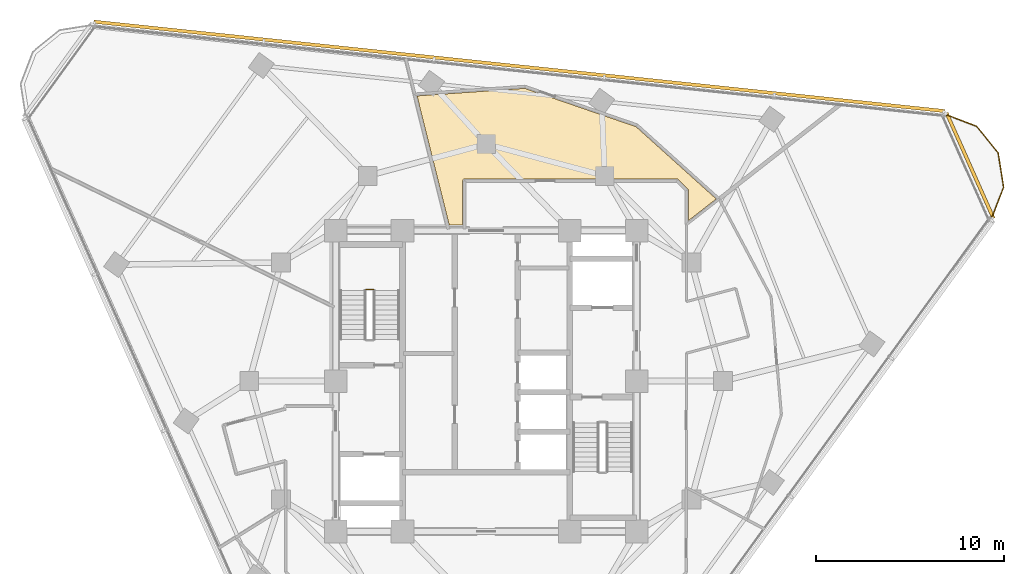
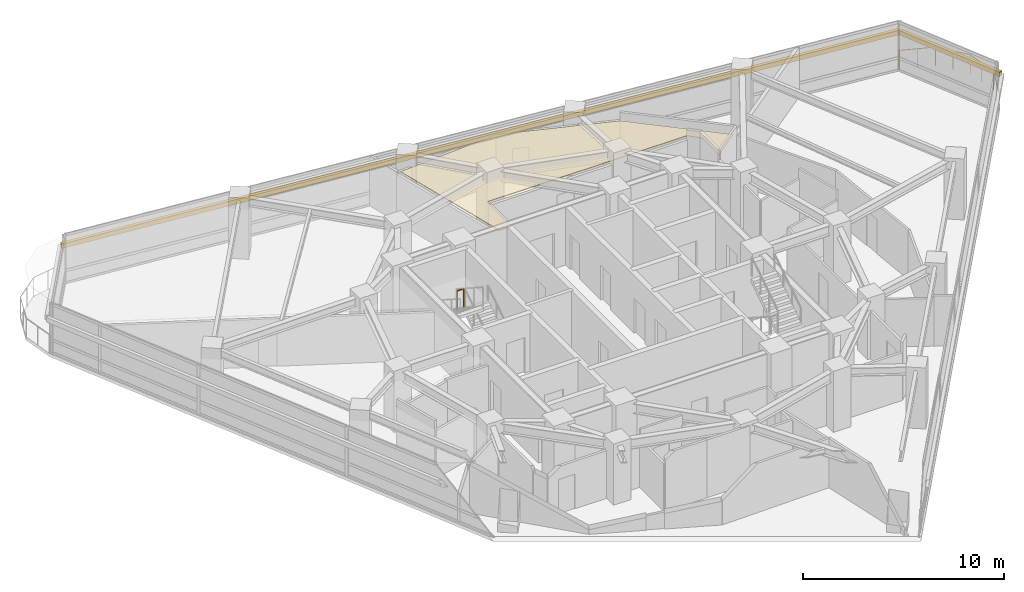
# One storey, part 14 of 14: 2 railings, 2 shading devices, 1 covering.
"""IFC4 building model written with IfcOpenShell, lengths in metres."""

from ifc_helpers import new_model, si_unit, direction, frame, origin, origin_2d, place, context, subcontext, project, spatial, polyline, rectangle, circle, outline, extrude, material, layer, layer_set, type_object, element, save


model = new_model("IFC4")

# Units and contexts
model_context = context("Model", 3, precision=1e-05, world=origin(), true_north=direction((0.0, 1.0)))
body_context = subcontext(model_context, "Body", "Model", "MODEL_VIEW")
ifc_project = project(units=[si_unit("LENGTHUNIT", "METRE"), si_unit("AREAUNIT", "SQUARE_METRE"), si_unit("VOLUMEUNIT", "CUBIC_METRE"), si_unit("PLANEANGLEUNIT", "RADIAN"), si_unit("MASSUNIT", "GRAM", prefix="KILO")], contexts=[model_context])

# Site, building, storey
site_placement = place(None, origin())
site = spatial("IfcSite", under=ifc_project, at=site_placement, CompositionType="ELEMENT")
building_placement = place(site_placement, origin())
building = spatial("IfcBuilding", under=site, at=building_placement, Name="Terralouvre Media Tower", CompositionType="ELEMENT")
storey_placement = place(building_placement, frame((0.0, 0.0, 218.89990234375)))
storey = spatial("IfcBuildingStorey", under=building, at=storey_placement, Name="L56", CompositionType="ELEMENT", Elevation=218.89990234375)

# Covering
ifc_material_1 = material(Name="Perforated aluminium acoustic ceiling baffle", Category="aluminium")
ifc_layer_1 = layer(ifc_material_1, 0.0400390625, Name="Perforated Acoustic Metal Tile Ceiling CL-AC1")
ifc_layer_set_1 = layer_set([ifc_layer_1], Name="Perforated aluminium acoustic ceiling baffle")
covering_type = type_object("IfcCoveringType", Name="Perforated Acoustic Metal Tile Ceiling CL-AC1", PredefinedType="CEILING", material=ifc_layer_set_1)
covering_placement = place(storey_placement, frame((0.0, 0.0, 2.97998046875), z_axis=(0.0, 0.0, 1.0), x_axis=(0.587785252292, 0.809016994375, 0.0)))
element("IfcCovering", 1, at=covering_placement, inside=storey, type_object=covering_type, Name="L56 Executive Security Control Room 8 Acoustic Ceiling", PredefinedType="CEILING", context=body_context, shape_type="SweptSolid", body=[
    extrude(outline(polyline([(7.889404296875, 7.276611328125), (7.898193359375, 7.281005859375), (7.9072265625, 7.28466796875), (7.916748046875, 7.28759765625), (7.92626953125, 7.289306640625), (7.936279296875, 7.290283203125), (7.946044921875, 7.2900390625), (7.955810546875, 7.2890625), (7.96533203125, 7.287109375), (7.974609375, 7.2841796875), (7.983642578125, 7.2802734375), (7.992431640625, 7.275634765625), (8.00048828125, 7.27001953125), (8.008056640625, 7.263671875), (8.014892578125, 7.256591796875), (8.02099609375, 7.2490234375), (14.662841796875, -1.892822265625), (14.668212890625, -1.901123046875), (14.6728515625, -1.90966796875), (14.676513671875, -1.918701171875), (14.67919921875, -1.92822265625), (14.68115234375, -1.93798828125), (14.681884765625, -1.94775390625), (14.681884765625, -1.95751953125), (14.680908203125, -1.96728515625), (14.570068359375, -2.665771484375), (14.568115234375, -2.67529296875), (14.565185546875, -2.6845703125), (14.561279296875, -2.693603515625), (14.556640625, -2.7021484375), (14.55126953125, -2.71044921875), (14.544921875, -2.718017578125), (14.537841796875, -2.724853515625), (14.5302734375, -2.73095703125), (13.21630859375, -3.685546875), (15.025634765625, -4.20458984375), (15.625732421875, 1.5048828125), (13.795654296875, 7.49072265625), (10.106201171875, 11.8876953125), (5.565673828125, 6.477294921875), (5.98828125, 5.895751953125), (7.88134765625, 7.271240234375), (7.889404296875, 7.276611328125)])), origin(), (0.0, 0.0, 1.0), 0.0400390625),
])

# Railings
ifc_material_2 = material(Name="Stainless steel 316 handrail and balustrade", Category="steel")
ifc_layer_2 = layer(ifc_material_2, 0.06005859375, Name="Roof Edge Safety Guardrail GR-ROOF1")
ifc_layer_set_2 = layer_set([ifc_layer_2], Name="Stainless steel 316 handrail and balustrade")
railing_type_1 = type_object("IfcRailingType", Name="Roof Edge Safety Guardrail GR-ROOF1", PredefinedType="GUARDRAIL", material=ifc_layer_set_2)
railing_1_placement = place(storey_placement, frame((26.85595703125, 8.593505859375, 0.0)))
element("IfcRailing", 2, at=railing_1_placement, inside=storey, type_object=railing_type_1, Name="L56 Wind-Corner Perimeter Safety Guardrail C1", PredefinedType="GUARDRAIL", context=body_context, shape_type="SweptSolid", body=[
    extrude(circle(Radius=0.02099609375, at=origin_2d()), frame((0.0, 0.0, 1.12890625), z_axis=(0.358685184164, 0.933458589688, 0.0), x_axis=(-0.933458589688, 0.358685184164, 0.0)), (0.0, 0.0, 1.0), 1.837158203125),
    extrude(circle(Radius=0.02099609375, at=origin_2d()), frame((0.658935546875, 1.71484375, 1.12890625), z_axis=(-0.156310663238, 0.987707940921, 0.0), x_axis=(-0.987707940921, -0.156310663238, 0.0)), (0.0, 0.0, 1.0), 1.836669921875),
    extrude(circle(Radius=0.02099609375, at=origin_2d()), frame((0.371826171875, 3.529052734375, 1.12890625), z_axis=(-0.629481130122, 0.777015769995, 0.0), x_axis=(-0.777015769995, -0.629481130122, 0.0)), (0.0, 0.0, 1.0), 1.8369140625),
    extrude(circle(Radius=0.02099609375, at=origin_2d()), frame((-0.784423828125, 4.956298828125, 1.12890625), z_axis=(-0.933653545479, 0.358177409974, 0.0), x_axis=(-0.358177409974, -0.933653545479, 0.0)), (0.0, 0.0, 1.0), 1.8369140625),
    extrude(circle(Radius=0.01904296875, at=origin_2d()), origin(), (0.0, 0.0, 1.0), 1.10791015625),
    extrude(circle(Radius=0.01904296875, at=origin_2d()), frame((0.32958984375, 0.857421875, 0.0)), (0.0, 0.0, 1.0), 1.10791015625),
    extrude(circle(Radius=0.01904296875, at=origin_2d()), frame((0.658935546875, 1.71484375, 0.0)), (0.0, 0.0, 1.0), 1.10791015625),
    extrude(circle(Radius=0.01904296875, at=origin_2d()), frame((0.515380859375, 2.6220703125, 0.0)), (0.0, 0.0, 1.0), 1.10791015625),
    extrude(circle(Radius=0.01904296875, at=origin_2d()), frame((0.371826171875, 3.529052734375, 0.0)), (0.0, 0.0, 1.0), 1.10791015625),
    extrude(circle(Radius=0.01904296875, at=origin_2d()), frame((-0.206298828125, 4.24267578125, 0.0)), (0.0, 0.0, 1.0), 1.10791015625),
    extrude(circle(Radius=0.01904296875, at=origin_2d()), frame((-0.784423828125, 4.956298828125, 0.0)), (0.0, 0.0, 1.0), 1.10791015625),
    extrude(circle(Radius=0.01904296875, at=origin_2d()), frame((-1.64208984375, 5.28515625, 0.0)), (0.0, 0.0, 1.0), 1.10791015625),
    extrude(circle(Radius=0.01904296875, at=origin_2d()), frame((-2.49951171875, 5.6142578125, 0.0)), (0.0, 0.0, 1.0), 1.10791015625),
])
ifc_material_3 = material(Name="Stainless steel 316 handrail and balustrade", Category="steel")
ifc_layer_3 = layer(ifc_material_3, 0.050048828125, Name="Stairwell Safety Guardrail GR-INT1")
ifc_layer_set_3 = layer_set([ifc_layer_3], Name="Stainless steel 316 handrail and balustrade")
railing_type_2 = type_object("IfcRailingType", Name="Stairwell Safety Guardrail GR-INT1", PredefinedType="GUARDRAIL", material=ifc_layer_set_3)
railing_2_placement = place(storey_placement, frame((-6.0, 4.8701171875, 1.85009765625)))
element("IfcRailing", 3, at=railing_2_placement, inside=storey, type_object=railing_type_2, Name="L56 ST-01 stair guard 2", PredefinedType="GUARDRAIL", context=body_context, shape_type="SweptSolid", body=[
    extrude(circle(Radius=0.02392578125, at=origin_2d()), frame((0.0, 0.0, 1.1259765625), z_axis=(-1.0, 0.0, 0.0), x_axis=(0.0, -1.0, 0.0)), (0.0, 0.0, 1.0), 0.3798828125),
    extrude(circle(Radius=0.02099609375, at=origin_2d()), origin(), (0.0, 0.0, 1.0), 1.101806640625),
    extrude(circle(Radius=0.02099609375, at=origin_2d()), frame((-0.3798828125, 0.0, 0.0)), (0.0, 0.0, 1.0), 1.101806640625),
])

# Shading devices
ifc_material_4 = material(Name="Extruded terracotta baguette sunshade louvres", Category="masonry")
shading_device_type = type_object("IfcShadingDeviceType", Name="Terracotta Baguette Sunshade Louvre Screen TB-LV1", PredefinedType="USERDEFINED", material=ifc_material_4)
shading_device_1_placement = place(storey_placement, frame((1.758544921875, 16.732666015625, 2.02392578125), z_axis=(0.0, 0.0, 1.0), x_axis=(-0.994521885028, 0.104528561651, 0.0)))
element("IfcShadingDevice", 4, at=shading_device_1_placement, inside=storey, type_object=shading_device_type, Name="CW-L56-F1 Terracotta Baguette Sunshade Louvre", ObjectType="BAGUETTE", PredefinedType="USERDEFINED", context=body_context, shape_type="SweptSolid", body=[
    extrude(rectangle(XDim=45.5, YDim=0.179931640625, at=origin_2d()), origin(), (0.0, 0.0, 1.0), 0.280029296875),
])
shading_device_2_placement = place(storey_placement, frame((25.7294921875, 11.45556640625, 2.02392578125), z_axis=(0.0, 0.0, 1.0), x_axis=(-0.406737441315, 0.913545102243, 0.0)))
element("IfcShadingDevice", 5, at=shading_device_2_placement, inside=storey, type_object=shading_device_type, Name="CW-L56-C1 Terracotta Baguette Sunshade Louvre", ObjectType="BAGUETTE", PredefinedType="USERDEFINED", context=body_context, shape_type="SweptSolid", body=[
    extrude(rectangle(XDim=6.148681640625, YDim=0.179931640625, at=origin_2d()), origin(), (0.0, 0.0, 1.0), 0.280029296875),
])

save(model, "model.ifc")
